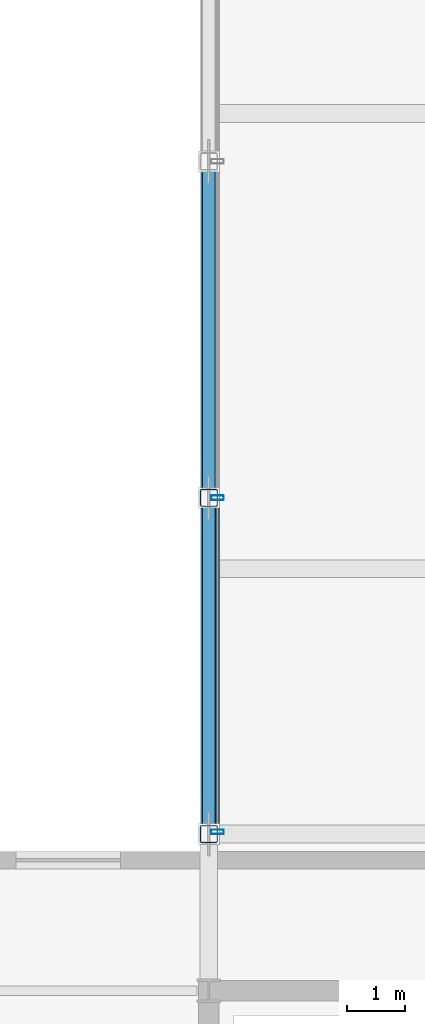
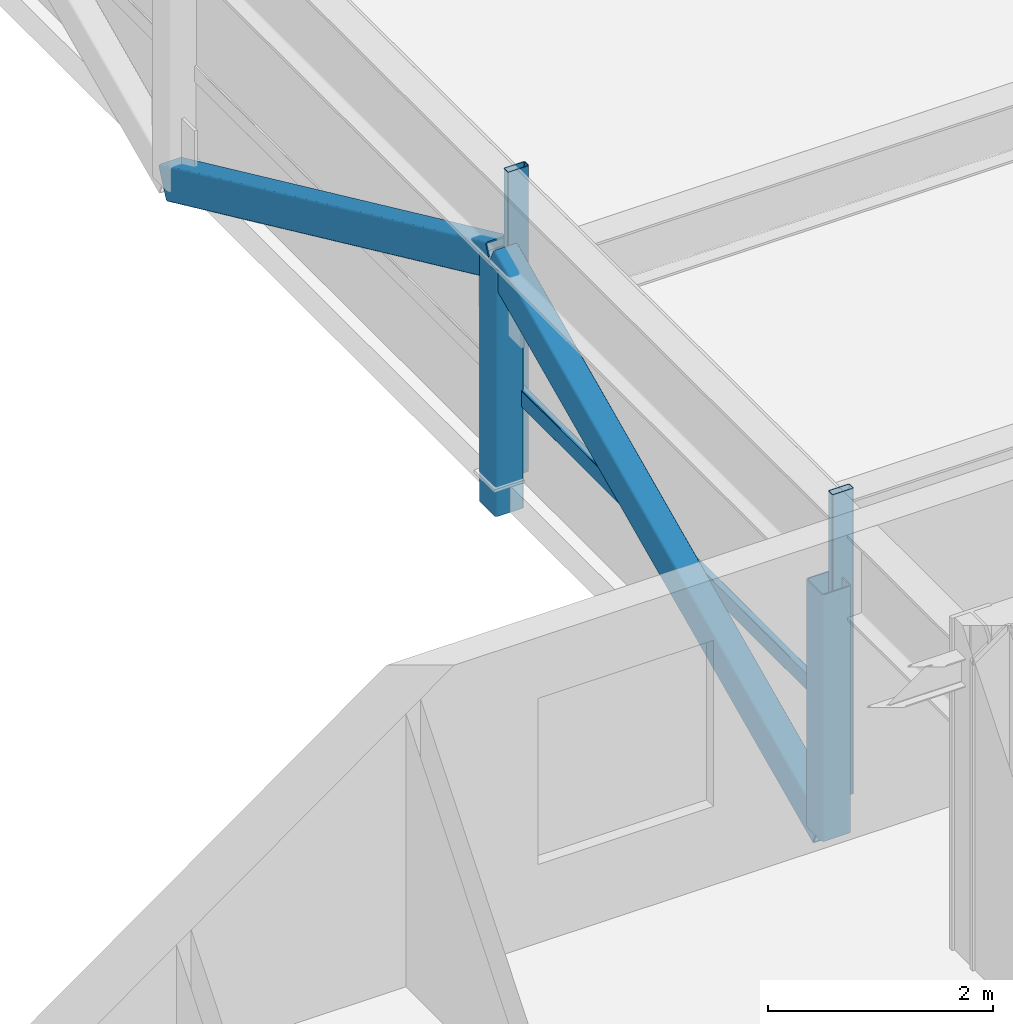
# One storey, part 4 of 36: 7 members, 1 element without a shape of its own.
"""IFC4 building model written with IfcOpenShell, lengths in metres."""

from ifc_helpers import new_model, si_unit, direction, frame, origin, origin_2d, place, context, subcontext, project, spatial, hollow_rectangle, extrude, material, layer, layer_set, material_profile, profile_set, type_object, element, aggregate, save


model = new_model("IFC4")

# Units and contexts
model_context = context("Model", 3, precision=1e-05, world=origin(), true_north=direction((0.0, 1.0)))
body_context = subcontext(model_context, "Body", "Model", "MODEL_VIEW")
ifc_project = project(units=[si_unit("LENGTHUNIT", "METRE"), si_unit("AREAUNIT", "SQUARE_METRE"), si_unit("VOLUMEUNIT", "CUBIC_METRE"), si_unit("PLANEANGLEUNIT", "RADIAN"), si_unit("MASSUNIT", "GRAM", prefix="KILO")], contexts=[model_context])

# Site, building, storey
site_placement = place(None, origin())
site = spatial("IfcSite", under=ifc_project, at=site_placement, CompositionType="ELEMENT")
building_placement = place(site_placement, origin())
building = spatial("IfcBuilding", under=site, at=building_placement, Name="Korimba Cascade Residences", CompositionType="ELEMENT")
storey_placement = place(building_placement, frame((0.0, 0.0, 139.300048828125)))
storey = spatial("IfcBuildingStorey", under=building, at=storey_placement, Name="L40", CompositionType="ELEMENT", Elevation=139.300048828125)

# Curtain wall, members
ifc_material_1 = material(Name="Anodised Aluminium Curtain Wall Framing", Category="aluminium")
ifc_layer = layer(ifc_material_1, 0.179931640625)
ifc_layer_set = layer_set([ifc_layer], Name="Anodised Aluminium Curtain Wall Framing")
curtain_wall_type = type_object("IfcCurtainWallType", Name="CW-BRG-SYS3", PredefinedType="NOTDEFINED", material=ifc_layer_set)
curtain_wall_placement = place(storey_placement, origin())
curtain_wall = element("IfcCurtainWall", 1, at=curtain_wall_placement, inside=storey, type_object=curtain_wall_type, Name="L40 Curtain Wall CW-L40-BRG-W", PredefinedType="NOTDEFINED")
ifc_material_2 = material(Name="Anodised Aluminium Mullion", Category="aluminium")
ifc_material_profile_1 = material_profile(ifc_material_2, hollow_rectangle(XDim=0.080078125, YDim=0.219970703125, WallThickness=0.00634765625, InnerFilletRadius=0.00634765625, OuterFilletRadius=0.0126953125, at=origin_2d()), Name="Anodised Aluminium Mullion")
ifc_profile_set_1 = profile_set([ifc_material_profile_1], Name="Anodised Aluminium Mullion")
member_type_1 = type_object("IfcMemberType", Name="CWM-MUL-220", PredefinedType="MULLION", material=ifc_profile_set_1)
member_1_placement = place(storey_placement, frame((82.25, 33.139892578125, 0.0), z_axis=(0.0, 0.0, 1.0), x_axis=(0.0, 1.0, 0.0)))
member_1 = element("IfcMember", 2, at=member_1_placement, type_object=member_type_1, Name="CW-L40-BRG-W Mullion 1", PredefinedType="MULLION", context=body_context, shape_type="SweptSolid", body=[
    extrude(hollow_rectangle(XDim=0.080078125, YDim=0.219970703125, WallThickness=0.00634765625, InnerFilletRadius=0.00634765625, OuterFilletRadius=0.0126953125, at=origin_2d()), origin(), (0.0, 0.0, 1.0), 3.31005859375),
])
member_2_placement = place(storey_placement, frame((82.25, 38.89990234375, 0.0), z_axis=(0.0, 0.0, 1.0), x_axis=(0.0, 1.0, 0.0)))
member_2 = element("IfcMember", 3, at=member_2_placement, type_object=member_type_1, Name="CW-L40-BRG-W Mullion 2", PredefinedType="MULLION", context=body_context, shape_type="SweptSolid", body=[
    extrude(hollow_rectangle(XDim=0.080078125, YDim=0.219970703125, WallThickness=0.00634765625, InnerFilletRadius=0.00634765625, OuterFilletRadius=0.0126953125, at=origin_2d()), origin(), (0.0, 0.0, 1.0), 3.31005859375),
])
ifc_material_3 = material(Name="Anodised Aluminium Transom", Category="aluminium")
ifc_material_profile_2 = material_profile(ifc_material_3, hollow_rectangle(XDim=0.070068359375, YDim=0.179931640625, WallThickness=0.0048828125, InnerFilletRadius=0.0048828125, OuterFilletRadius=0.010009765625, at=origin_2d()), Name="Anodised Aluminium Transom")
ifc_profile_set_2 = profile_set([ifc_material_profile_2], Name="Anodised Aluminium Transom")
member_type_2 = type_object("IfcMemberType", Name="CWM-TRN-150", PredefinedType="USERDEFINED", material=ifc_profile_set_2)
member_3_placement = place(storey_placement, frame((82.25, 33.139892578125, 0.89990234375), z_axis=(0.0, 1.0, 0.0), x_axis=(-1.0, 0.0, 0.0)))
member_3 = element("IfcMember", 4, at=member_3_placement, type_object=member_type_2, Name="CW-L40-BRG-W Transom 1", ObjectType="TRANSOM", PredefinedType="USERDEFINED", context=body_context, shape_type="SweptSolid", body=[
    extrude(hollow_rectangle(XDim=0.070068359375, YDim=0.179931640625, WallThickness=0.0048828125, InnerFilletRadius=0.0048828125, OuterFilletRadius=0.010009765625, at=origin_2d()), origin(), (0.0, 0.0, 1.0), 5.760009765625),
])
aggregate(curtain_wall, [member_1, member_2, member_3])

# Members
ifc_material_4 = material(Name="Steel S460", Category="steel")
ifc_material_profile_3 = material_profile(ifc_material_4, hollow_rectangle(XDim=0.25, YDim=0.35009765625, WallThickness=0.012451171875, InnerFilletRadius=0.012451171875, OuterFilletRadius=0.02490234375, at=origin_2d()), Name="Steel S460")
ifc_profile_set_3 = profile_set([ifc_material_profile_3], Name="Steel S460")
member_type_3 = type_object("IfcMemberType", Name="MEM-BRG-SHS350", PredefinedType="BRACE", material=ifc_profile_set_3)
member_4_placement = place(storey_placement, frame((82.10009765625, 33.10009765625, -0.2900390625), z_axis=(0.0, 0.90816738731, 0.418607210433), x_axis=(-1.0, 0.0, 0.0)))
element("IfcMember", 5, at=member_4_placement, inside=storey, type_object=member_type_3, Name="L40 Mid-Bridge Warren Diagonal W1", PredefinedType="BRACE", context=body_context, shape_type="SweptSolid", body=[
    extrude(hollow_rectangle(XDim=0.25, YDim=0.35009765625, WallThickness=0.012451171875, InnerFilletRadius=0.012451171875, OuterFilletRadius=0.02490234375, at=origin_2d()), origin(), (0.0, 0.0, 1.0), 6.38623046875),
])
member_5_placement = place(storey_placement, frame((82.10009765625, 38.89990234375, 2.38330078125), z_axis=(0.0, 0.9081740859, -0.418592677552), x_axis=(-1.0, 0.0, 0.0)))
element("IfcMember", 6, at=member_5_placement, inside=storey, type_object=member_type_3, Name="L40 Mid-Bridge Warren Diagonal W2", PredefinedType="BRACE", context=body_context, shape_type="SweptSolid", body=[
    extrude(hollow_rectangle(XDim=0.25, YDim=0.35009765625, WallThickness=0.012451171875, InnerFilletRadius=0.012451171875, OuterFilletRadius=0.02490234375, at=origin_2d()), origin(), (0.0, 0.0, 1.0), 6.386474609375),
])
ifc_material_profile_4 = material_profile(ifc_material_4, hollow_rectangle(XDim=0.300048828125, YDim=0.300048828125, WallThickness=0.012451171875, InnerFilletRadius=0.012451171875, OuterFilletRadius=0.02490234375, at=origin_2d()), Name="Steel S460")
ifc_profile_set_4 = profile_set([ifc_material_profile_4], Name="Steel S460")
member_type_4 = type_object("IfcMemberType", Name="MEM-BRG-STR300", PredefinedType="STRUT", material=ifc_profile_set_4)
for number, where, z_axis, x_axis, name in (
    (7, (82.10009765625, 33.10009765625, -0.2900390625), (0.0, 0.0, 1.0), (1.0, 0.0, 0.0), "L40 Mid-Bridge Warren Web Post W1"),
    (8, (82.10009765625, 38.89990234375, -0.2900390625), (0.0, 0.0, 1.0), (1.0, 0.0, 0.0), "L40 Mid-Bridge Warren Web Post W2"),
):
    element("IfcMember", number, at=place(storey_placement, frame(where, z_axis=z_axis, x_axis=x_axis)), inside=storey, type_object=member_type_4, Name=name, PredefinedType="STRUT", context=body_context, shape_type="SweptSolid", body=[
        extrude(hollow_rectangle(XDim=0.300048828125, YDim=0.300048828125, WallThickness=0.012451171875, InnerFilletRadius=0.012451171875, OuterFilletRadius=0.02490234375, at=origin_2d()), origin(), (0.0, 0.0, 1.0), 2.67333984375),
    ])

save(model, "model.ifc")
